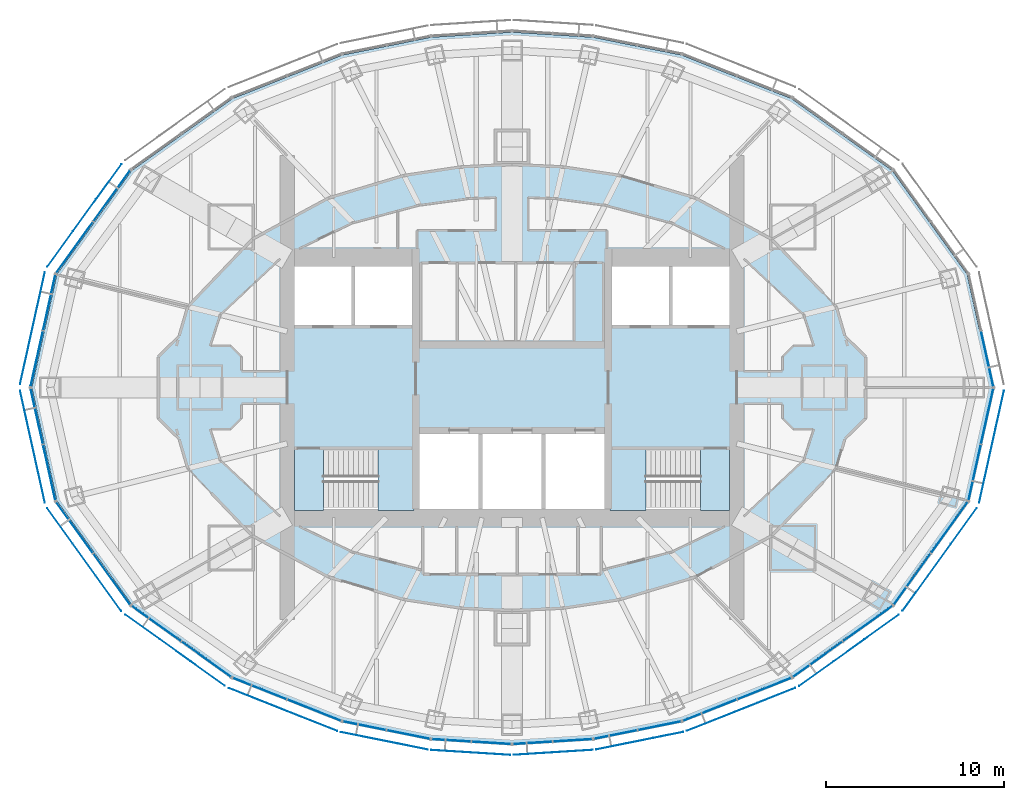
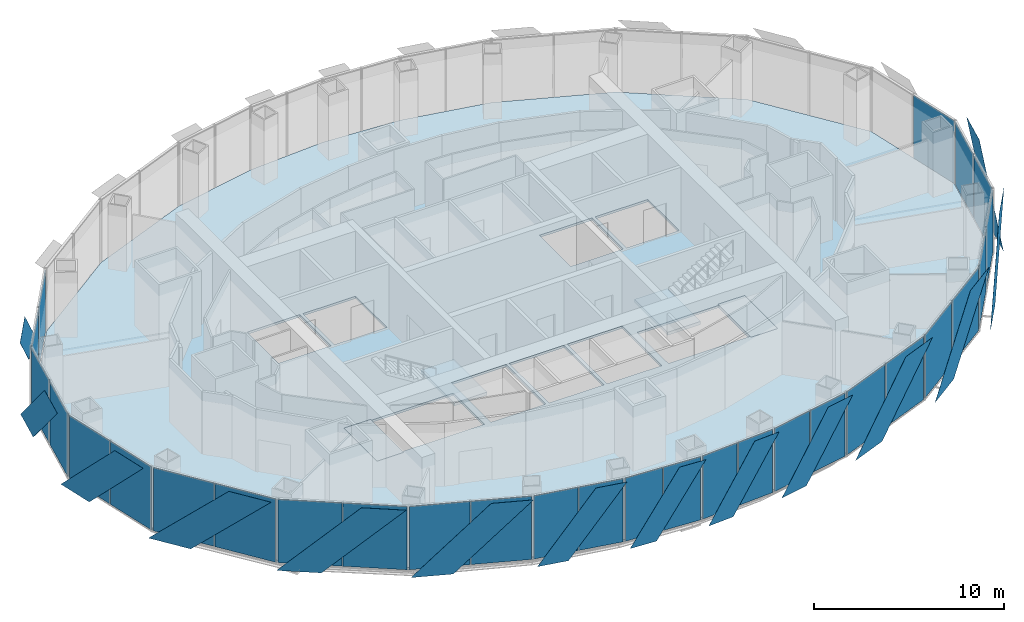
# One storey, part 10 of 17: 43 plates, 5 slabs, 17 elements without a shape of their own.
"""IFC4 building model written with IfcOpenShell, lengths in metres."""

from ifc_helpers import new_model, si_unit, direction, frame, origin, origin_2d, place, context, subcontext, project, spatial, polyline, rectangle, outline, extrude, material, layer, layer_set, type_object, element, aggregate, save


model = new_model("IFC4")

# Units and contexts
model_context = context("Model", 3, precision=1e-05, world=origin(), true_north=direction((0.0, 1.0)))
body_context = subcontext(model_context, "Body", "Model", "MODEL_VIEW")
ifc_project = project(units=[si_unit("LENGTHUNIT", "METRE"), si_unit("AREAUNIT", "SQUARE_METRE"), si_unit("VOLUMEUNIT", "CUBIC_METRE"), si_unit("PLANEANGLEUNIT", "RADIAN"), si_unit("MASSUNIT", "GRAM", prefix="KILO")], contexts=[model_context])

# Site, building, storey
site_placement = place(None, origin())
site = spatial("IfcSite", under=ifc_project, at=site_placement, CompositionType="ELEMENT")
building_placement = place(site_placement, origin())
building = spatial("IfcBuilding", under=site, at=building_placement, Name="Lantaw Convention Tower", CompositionType="ELEMENT")
storey_placement = place(building_placement, frame((0.0, 0.0, 203.199951171875)))
storey = spatial("IfcBuildingStorey", under=building, at=storey_placement, Name="L47", CompositionType="ELEMENT", Elevation=203.199951171875)

# Curtain wall, plate
ifc_material_1 = material(Name="Aluminium framed curtain wall", Category="aluminium")
curtain_wall_type = type_object("IfcCurtainWallType", Name="Office curtain wall high rise, pale aluminium", PredefinedType="USERDEFINED", material=ifc_material_1)
curtain_wall_1_placement = place(storey_placement, origin())
curtain_wall_1 = element("IfcCurtainWall", 1, at=curtain_wall_1_placement, inside=storey, type_object=curtain_wall_type, Name="Office curtain wall high rise, pale aluminium L47", ObjectType="UNITISED CURTAIN WALL", PredefinedType="USERDEFINED")
ifc_material_2 = material(Name="Clear insulating glass", Category="glass")
ifc_layer_1 = layer(ifc_material_2, 0.028076171875)
ifc_layer_set_1 = layer_set([ifc_layer_1], Name="CW-O2 panel 28")
plate_type_1 = type_object("IfcPlateType", Name="CW-O2 panel 28", PredefinedType="CURTAIN_PANEL", material=ifc_layer_set_1)
plate_1_placement = place(storey_placement, frame((26.643798828125, 1.61083984375, -0.0849609375), z_axis=(0.0, 0.0, 1.0), x_axis=(-0.215891333626, 0.976417396437, 0.0)))
plate_1 = element("IfcPlate", 2, at=plate_1_placement, type_object=plate_type_1, Name="CW-O2 panel 1.1", PredefinedType="CURTAIN_PANEL", context=body_context, shape_type="SweptSolid", body=[
    extrude(rectangle(XDim=3.169677734375, YDim=0.028076171875, at=origin_2d()), origin(), (0.0, 0.0, 1.0), 4.070068359375),
])
aggregate(curtain_wall_1, [plate_1])

# Curtain wall, plates
curtain_wall_2_placement = place(storey_placement, origin())
curtain_wall_2 = element("IfcCurtainWall", 3, at=curtain_wall_2_placement, inside=storey, type_object=curtain_wall_type, Name="Office curtain wall high rise, pale aluminium L47", ObjectType="UNITISED CURTAIN WALL", PredefinedType="USERDEFINED")
plate_2_placement = place(storey_placement, frame((-22.4404296875, 10.743896484375, -0.0849609375), z_axis=(0.0, 0.0, 1.0), x_axis=(-0.585157643865, -0.810919559405, 0.0)))
plate_2 = element("IfcPlate", 4, at=plate_2_placement, type_object=plate_type_1, Name="CW-O2 panel 1.1", PredefinedType="CURTAIN_PANEL", context=body_context, shape_type="SweptSolid", body=[
    extrude(rectangle(XDim=3.500732421875, YDim=0.028076171875, at=origin_2d()), origin(), (0.0, 0.0, 1.0), 4.070068359375),
])
plate_3_placement = place(storey_placement, frame((-24.527099609375, 7.852294921875, -0.0849609375), z_axis=(0.0, 0.0, 1.0), x_axis=(-0.585157643865, -0.810919559405, 0.0)))
plate_3 = element("IfcPlate", 5, at=plate_3_placement, type_object=plate_type_1, Name="CW-O2 panel 2.1", PredefinedType="CURTAIN_PANEL", context=body_context, shape_type="SweptSolid", body=[
    extrude(rectangle(XDim=3.500732421875, YDim=0.028076171875, at=origin_2d()), origin(), (0.0, 0.0, 1.0), 4.070068359375),
])
aggregate(curtain_wall_2, [plate_2, plate_3])

curtain_wall_3_placement = place(storey_placement, origin())
curtain_wall_3 = element("IfcCurtainWall", 6, at=curtain_wall_3_placement, inside=storey, type_object=curtain_wall_type, Name="Office curtain wall high rise, pale aluminium L47", ObjectType="UNITISED CURTAIN WALL", PredefinedType="USERDEFINED")
plate_4_placement = place(storey_placement, frame((-25.945556640625, 4.769287109375, -0.0849609375), z_axis=(0.0, 0.0, 1.0), x_axis=(-0.215891333626, -0.976417396437, 0.0)))
plate_4 = element("IfcPlate", 7, at=plate_4_placement, type_object=plate_type_1, Name="CW-O2 panel 1.1", PredefinedType="CURTAIN_PANEL", context=body_context, shape_type="SweptSolid", body=[
    extrude(rectangle(XDim=3.169677734375, YDim=0.028076171875, at=origin_2d()), origin(), (0.0, 0.0, 1.0), 4.070068359375),
])
plate_5_placement = place(storey_placement, frame((-26.643798828125, 1.61083984375, -0.0849609375), z_axis=(0.0, 0.0, 1.0), x_axis=(-0.215891333626, -0.976417396437, 0.0)))
plate_5 = element("IfcPlate", 8, at=plate_5_placement, type_object=plate_type_1, Name="CW-O2 panel 2.1", PredefinedType="CURTAIN_PANEL", context=body_context, shape_type="SweptSolid", body=[
    extrude(rectangle(XDim=3.169677734375, YDim=0.028076171875, at=origin_2d()), origin(), (0.0, 0.0, 1.0), 4.070068359375),
])
aggregate(curtain_wall_3, [plate_4, plate_5])

curtain_wall_4_placement = place(storey_placement, origin())
curtain_wall_4 = element("IfcCurtainWall", 9, at=curtain_wall_4_placement, inside=storey, type_object=curtain_wall_type, Name="Office curtain wall high rise, pale aluminium L47", ObjectType="UNITISED CURTAIN WALL", PredefinedType="USERDEFINED")
plate_6_placement = place(storey_placement, frame((-26.643798828125, -1.61083984375, -0.0849609375), z_axis=(0.0, 0.0, 1.0), x_axis=(0.215891333626, -0.976417396437, 0.0)))
plate_6 = element("IfcPlate", 10, at=plate_6_placement, type_object=plate_type_1, Name="CW-O2 panel 1.1", PredefinedType="CURTAIN_PANEL", context=body_context, shape_type="SweptSolid", body=[
    extrude(rectangle(XDim=3.169677734375, YDim=0.028076171875, at=origin_2d()), origin(), (0.0, 0.0, 1.0), 4.070068359375),
])
plate_7_placement = place(storey_placement, frame((-25.945556640625, -4.769287109375, -0.0849609375), z_axis=(0.0, 0.0, 1.0), x_axis=(0.215891333626, -0.976417396437, 0.0)))
plate_7 = element("IfcPlate", 11, at=plate_7_placement, type_object=plate_type_1, Name="CW-O2 panel 2.1", PredefinedType="CURTAIN_PANEL", context=body_context, shape_type="SweptSolid", body=[
    extrude(rectangle(XDim=3.169677734375, YDim=0.028076171875, at=origin_2d()), origin(), (0.0, 0.0, 1.0), 4.070068359375),
])
aggregate(curtain_wall_4, [plate_6, plate_7])

curtain_wall_5_placement = place(storey_placement, origin())
curtain_wall_5 = element("IfcCurtainWall", 12, at=curtain_wall_5_placement, inside=storey, type_object=curtain_wall_type, Name="Office curtain wall high rise, pale aluminium L47", ObjectType="UNITISED CURTAIN WALL", PredefinedType="USERDEFINED")
plate_8_placement = place(storey_placement, frame((-24.527099609375, -7.852294921875, -0.0849609375), z_axis=(0.0, 0.0, 1.0), x_axis=(0.585157643865, -0.810919559405, 0.0)))
plate_8 = element("IfcPlate", 13, at=plate_8_placement, type_object=plate_type_1, Name="CW-O2 panel 1.1", PredefinedType="CURTAIN_PANEL", context=body_context, shape_type="SweptSolid", body=[
    extrude(rectangle(XDim=3.500732421875, YDim=0.028076171875, at=origin_2d()), origin(), (0.0, 0.0, 1.0), 4.070068359375),
])
plate_9_placement = place(storey_placement, frame((-22.4404296875, -10.743896484375, -0.0849609375), z_axis=(0.0, 0.0, 1.0), x_axis=(0.585157643865, -0.810919559405, 0.0)))
plate_9 = element("IfcPlate", 14, at=plate_9_placement, type_object=plate_type_1, Name="CW-O2 panel 2.1", PredefinedType="CURTAIN_PANEL", context=body_context, shape_type="SweptSolid", body=[
    extrude(rectangle(XDim=3.500732421875, YDim=0.028076171875, at=origin_2d()), origin(), (0.0, 0.0, 1.0), 4.070068359375),
])
aggregate(curtain_wall_5, [plate_8, plate_9])

curtain_wall_6_placement = place(storey_placement, origin())
curtain_wall_6 = element("IfcCurtainWall", 15, at=curtain_wall_6_placement, inside=storey, type_object=curtain_wall_type, Name="Office curtain wall high rise, pale aluminium L47", ObjectType="UNITISED CURTAIN WALL", PredefinedType="USERDEFINED")
plate_10_placement = place(storey_placement, frame((-19.947509765625, -13.23828125, -0.0849609375), z_axis=(0.0, 0.0, 1.0), x_axis=(0.813672540482, -0.581323487281, 0.0)))
plate_10 = element("IfcPlate", 16, at=plate_10_placement, type_object=plate_type_1, Name="CW-O2 panel 1.1", PredefinedType="CURTAIN_PANEL", context=body_context, shape_type="SweptSolid", body=[
    extrude(rectangle(XDim=3.386474609375, YDim=0.028076171875, at=origin_2d()), origin(), (0.0, 0.0, 1.0), 4.070068359375),
])
plate_11_placement = place(storey_placement, frame((-17.13916015625, -15.24462890625, -0.0849609375), z_axis=(0.0, 0.0, 1.0), x_axis=(0.813672540482, -0.581323487281, 0.0)))
plate_11 = element("IfcPlate", 17, at=plate_11_placement, type_object=plate_type_1, Name="CW-O2 panel 2.1", PredefinedType="CURTAIN_PANEL", context=body_context, shape_type="SweptSolid", body=[
    extrude(rectangle(XDim=3.386474609375, YDim=0.028076171875, at=origin_2d()), origin(), (0.0, 0.0, 1.0), 4.070068359375),
])
aggregate(curtain_wall_6, [plate_10, plate_11])

curtain_wall_7_placement = place(storey_placement, origin())
curtain_wall_7 = element("IfcCurtainWall", 18, at=curtain_wall_7_placement, inside=storey, type_object=curtain_wall_type, Name="Office curtain wall high rise, pale aluminium L47", ObjectType="UNITISED CURTAIN WALL", PredefinedType="USERDEFINED")
plate_12_placement = place(storey_placement, frame((-14.14990234375, -16.8837890625, -0.0849609375), z_axis=(0.0, 0.0, 1.0), x_axis=(0.929761533743, -0.368162315252, 0.0)))
plate_12 = element("IfcPlate", 19, at=plate_12_placement, type_object=plate_type_1, Name="CW-O2 panel 1.1", PredefinedType="CURTAIN_PANEL", context=body_context, shape_type="SweptSolid", body=[
    extrude(rectangle(XDim=3.222900390625, YDim=0.028076171875, at=origin_2d()), origin(), (0.0, 0.0, 1.0), 4.070068359375),
])
plate_13_placement = place(storey_placement, frame((-11.0927734375, -18.094482421875, -0.0849609375), z_axis=(0.0, 0.0, 1.0), x_axis=(0.929761533743, -0.368162315252, 0.0)))
plate_13 = element("IfcPlate", 20, at=plate_13_placement, type_object=plate_type_1, Name="CW-O2 panel 2.1", PredefinedType="CURTAIN_PANEL", context=body_context, shape_type="SweptSolid", body=[
    extrude(rectangle(XDim=3.222900390625, YDim=0.028076171875, at=origin_2d()), origin(), (0.0, 0.0, 1.0), 4.070068359375),
])
aggregate(curtain_wall_7, [plate_12, plate_13])

curtain_wall_8_placement = place(storey_placement, origin())
curtain_wall_8 = element("IfcCurtainWall", 21, at=curtain_wall_8_placement, inside=storey, type_object=curtain_wall_type, Name="Office curtain wall high rise, pale aluminium L47", ObjectType="UNITISED CURTAIN WALL", PredefinedType="USERDEFINED")
plate_14_placement = place(storey_placement, frame((-8.2724609375, -18.96533203125, -0.0849609375), z_axis=(0.0, 0.0, 1.0), x_axis=(0.980366679695, -0.197183095987, 0.0)))
plate_14 = element("IfcPlate", 22, at=plate_14_placement, type_object=plate_type_1, Name="CW-O2 panel 1.1", PredefinedType="CURTAIN_PANEL", context=body_context, shape_type="SweptSolid", body=[
    extrude(rectangle(XDim=2.44384765625, YDim=0.028076171875, at=origin_2d()), origin(), (0.0, 0.0, 1.0), 4.070068359375),
])
plate_15_placement = place(storey_placement, frame((-5.81298828125, -19.4599609375, -0.0849609375), z_axis=(0.0, 0.0, 1.0), x_axis=(0.980366679695, -0.197183095987, 0.0)))
plate_15 = element("IfcPlate", 23, at=plate_15_placement, type_object=plate_type_1, Name="CW-O2 panel 2.1", PredefinedType="CURTAIN_PANEL", context=body_context, shape_type="SweptSolid", body=[
    extrude(rectangle(XDim=2.44384765625, YDim=0.028076171875, at=origin_2d()), origin(), (0.0, 0.0, 1.0), 4.070068359375),
])
aggregate(curtain_wall_8, [plate_14, plate_15])

curtain_wall_9_placement = place(storey_placement, origin())
curtain_wall_9 = element("IfcCurtainWall", 24, at=curtain_wall_9_placement, inside=storey, type_object=curtain_wall_type, Name="Office curtain wall high rise, pale aluminium L47", ObjectType="UNITISED CURTAIN WALL", PredefinedType="USERDEFINED")
plate_16_placement = place(storey_placement, frame((-3.397216796875, -19.786376953125, -0.0849609375), z_axis=(0.0, 0.0, 1.0), x_axis=(0.998028774865, -0.062757983884, 0.0)))
plate_16 = element("IfcPlate", 25, at=plate_16_placement, type_object=plate_type_1, Name="CW-O2 panel 1.1", PredefinedType="CURTAIN_PANEL", context=body_context, shape_type="SweptSolid", body=[
    extrude(rectangle(XDim=2.1826171875, YDim=0.028076171875, at=origin_2d()), origin(), (0.0, 0.0, 1.0), 4.070068359375),
])
plate_17_placement = place(storey_placement, frame((-1.154052734375, -19.927490234375, -0.0849609375), z_axis=(0.0, 0.0, 1.0), x_axis=(0.998028774865, -0.062757983884, 0.0)))
plate_17 = element("IfcPlate", 26, at=plate_17_placement, type_object=plate_type_1, Name="CW-O2 panel 2.1", PredefinedType="CURTAIN_PANEL", context=body_context, shape_type="SweptSolid", body=[
    extrude(rectangle(XDim=2.1826171875, YDim=0.028076171875, at=origin_2d()), origin(), (0.0, 0.0, 1.0), 4.070068359375),
])
aggregate(curtain_wall_9, [plate_16, plate_17])

curtain_wall_10_placement = place(storey_placement, origin())
curtain_wall_10 = element("IfcCurtainWall", 27, at=curtain_wall_10_placement, inside=storey, type_object=curtain_wall_type, Name="Office curtain wall high rise, pale aluminium L47", ObjectType="UNITISED CURTAIN WALL", PredefinedType="USERDEFINED")
plate_18_placement = place(storey_placement, frame((1.154052734375, -19.927490234375, -0.0849609375), z_axis=(0.0, 0.0, 1.0), x_axis=(0.998028774865, 0.062757983884, 0.0)))
plate_18 = element("IfcPlate", 28, at=plate_18_placement, type_object=plate_type_1, Name="CW-O2 panel 1.1", PredefinedType="CURTAIN_PANEL", context=body_context, shape_type="SweptSolid", body=[
    extrude(rectangle(XDim=2.1826171875, YDim=0.028076171875, at=origin_2d()), origin(), (0.0, 0.0, 1.0), 4.070068359375),
])
plate_19_placement = place(storey_placement, frame((3.397216796875, -19.786376953125, -0.0849609375), z_axis=(0.0, 0.0, 1.0), x_axis=(0.998028774865, 0.062757983884, 0.0)))
plate_19 = element("IfcPlate", 29, at=plate_19_placement, type_object=plate_type_1, Name="CW-O2 panel 2.1", PredefinedType="CURTAIN_PANEL", context=body_context, shape_type="SweptSolid", body=[
    extrude(rectangle(XDim=2.1826171875, YDim=0.028076171875, at=origin_2d()), origin(), (0.0, 0.0, 1.0), 4.070068359375),
])
aggregate(curtain_wall_10, [plate_18, plate_19])

curtain_wall_11_placement = place(storey_placement, origin())
curtain_wall_11 = element("IfcCurtainWall", 30, at=curtain_wall_11_placement, inside=storey, type_object=curtain_wall_type, Name="Office curtain wall high rise, pale aluminium L47", ObjectType="UNITISED CURTAIN WALL", PredefinedType="USERDEFINED")
plate_20_placement = place(storey_placement, frame((5.81298828125, -19.4599609375, -0.0849609375), z_axis=(0.0, 0.0, 1.0), x_axis=(0.980366679695, 0.197183095987, 0.0)))
plate_20 = element("IfcPlate", 31, at=plate_20_placement, type_object=plate_type_1, Name="CW-O2 panel 1.1", PredefinedType="CURTAIN_PANEL", context=body_context, shape_type="SweptSolid", body=[
    extrude(rectangle(XDim=2.44384765625, YDim=0.028076171875, at=origin_2d()), origin(), (0.0, 0.0, 1.0), 4.070068359375),
])
plate_21_placement = place(storey_placement, frame((8.2724609375, -18.96533203125, -0.0849609375), z_axis=(0.0, 0.0, 1.0), x_axis=(0.980366679695, 0.197183095987, 0.0)))
plate_21 = element("IfcPlate", 32, at=plate_21_placement, type_object=plate_type_1, Name="CW-O2 panel 2.1", PredefinedType="CURTAIN_PANEL", context=body_context, shape_type="SweptSolid", body=[
    extrude(rectangle(XDim=2.44384765625, YDim=0.028076171875, at=origin_2d()), origin(), (0.0, 0.0, 1.0), 4.070068359375),
])
aggregate(curtain_wall_11, [plate_20, plate_21])

curtain_wall_12_placement = place(storey_placement, origin())
curtain_wall_12 = element("IfcCurtainWall", 33, at=curtain_wall_12_placement, inside=storey, type_object=curtain_wall_type, Name="Office curtain wall high rise, pale aluminium L47", ObjectType="UNITISED CURTAIN WALL", PredefinedType="USERDEFINED")
plate_22_placement = place(storey_placement, frame((11.0927734375, -18.094482421875, -0.0849609375), z_axis=(0.0, 0.0, 1.0), x_axis=(0.929761533743, 0.368162315252, 0.0)))
plate_22 = element("IfcPlate", 34, at=plate_22_placement, type_object=plate_type_1, Name="CW-O2 panel 1.1", PredefinedType="CURTAIN_PANEL", context=body_context, shape_type="SweptSolid", body=[
    extrude(rectangle(XDim=3.222900390625, YDim=0.028076171875, at=origin_2d()), origin(), (0.0, 0.0, 1.0), 4.070068359375),
])
plate_23_placement = place(storey_placement, frame((14.14990234375, -16.8837890625, -0.0849609375), z_axis=(0.0, 0.0, 1.0), x_axis=(0.929761533743, 0.368162315252, 0.0)))
plate_23 = element("IfcPlate", 35, at=plate_23_placement, type_object=plate_type_1, Name="CW-O2 panel 2.1", PredefinedType="CURTAIN_PANEL", context=body_context, shape_type="SweptSolid", body=[
    extrude(rectangle(XDim=3.222900390625, YDim=0.028076171875, at=origin_2d()), origin(), (0.0, 0.0, 1.0), 4.070068359375),
])
aggregate(curtain_wall_12, [plate_22, plate_23])

curtain_wall_13_placement = place(storey_placement, origin())
curtain_wall_13 = element("IfcCurtainWall", 36, at=curtain_wall_13_placement, inside=storey, type_object=curtain_wall_type, Name="Office curtain wall high rise, pale aluminium L47", ObjectType="UNITISED CURTAIN WALL", PredefinedType="USERDEFINED")
plate_24_placement = place(storey_placement, frame((17.13916015625, -15.24462890625, -0.0849609375), z_axis=(0.0, 0.0, 1.0), x_axis=(0.813672540482, 0.581323487281, 0.0)))
plate_24 = element("IfcPlate", 37, at=plate_24_placement, type_object=plate_type_1, Name="CW-O2 panel 1.1", PredefinedType="CURTAIN_PANEL", context=body_context, shape_type="SweptSolid", body=[
    extrude(rectangle(XDim=3.386474609375, YDim=0.028076171875, at=origin_2d()), origin(), (0.0, 0.0, 1.0), 4.070068359375),
])
plate_25_placement = place(storey_placement, frame((19.947509765625, -13.23828125, -0.0849609375), z_axis=(0.0, 0.0, 1.0), x_axis=(0.813672540482, 0.581323487281, 0.0)))
plate_25 = element("IfcPlate", 38, at=plate_25_placement, type_object=plate_type_1, Name="CW-O2 panel 2.1", PredefinedType="CURTAIN_PANEL", context=body_context, shape_type="SweptSolid", body=[
    extrude(rectangle(XDim=3.386474609375, YDim=0.028076171875, at=origin_2d()), origin(), (0.0, 0.0, 1.0), 4.070068359375),
])
aggregate(curtain_wall_13, [plate_24, plate_25])

curtain_wall_14_placement = place(storey_placement, origin())
curtain_wall_14 = element("IfcCurtainWall", 39, at=curtain_wall_14_placement, inside=storey, type_object=curtain_wall_type, Name="Office curtain wall high rise, pale aluminium L47", ObjectType="UNITISED CURTAIN WALL", PredefinedType="USERDEFINED")
plate_26_placement = place(storey_placement, frame((22.4404296875, -10.743896484375, -0.0849609375), z_axis=(0.0, 0.0, 1.0), x_axis=(0.585157643865, 0.810919559405, 0.0)))
plate_26 = element("IfcPlate", 40, at=plate_26_placement, type_object=plate_type_1, Name="CW-O2 panel 1.1", PredefinedType="CURTAIN_PANEL", context=body_context, shape_type="SweptSolid", body=[
    extrude(rectangle(XDim=3.500732421875, YDim=0.028076171875, at=origin_2d()), origin(), (0.0, 0.0, 1.0), 4.070068359375),
])
plate_27_placement = place(storey_placement, frame((24.527099609375, -7.852294921875, -0.0849609375), z_axis=(0.0, 0.0, 1.0), x_axis=(0.585157643865, 0.810919559405, 0.0)))
plate_27 = element("IfcPlate", 41, at=plate_27_placement, type_object=plate_type_1, Name="CW-O2 panel 2.1", PredefinedType="CURTAIN_PANEL", context=body_context, shape_type="SweptSolid", body=[
    extrude(rectangle(XDim=3.500732421875, YDim=0.028076171875, at=origin_2d()), origin(), (0.0, 0.0, 1.0), 4.070068359375),
])
aggregate(curtain_wall_14, [plate_26, plate_27])

curtain_wall_15_placement = place(storey_placement, origin())
curtain_wall_15 = element("IfcCurtainWall", 42, at=curtain_wall_15_placement, inside=storey, type_object=curtain_wall_type, Name="Office curtain wall high rise, pale aluminium L47", ObjectType="UNITISED CURTAIN WALL", PredefinedType="USERDEFINED")
plate_28_placement = place(storey_placement, frame((25.945556640625, -4.769287109375, -0.0849609375), z_axis=(0.0, 0.0, 1.0), x_axis=(0.215891333626, 0.976417396437, 0.0)))
plate_28 = element("IfcPlate", 43, at=plate_28_placement, type_object=plate_type_1, Name="CW-O2 panel 1.1", PredefinedType="CURTAIN_PANEL", context=body_context, shape_type="SweptSolid", body=[
    extrude(rectangle(XDim=3.169677734375, YDim=0.028076171875, at=origin_2d()), origin(), (0.0, 0.0, 1.0), 4.070068359375),
])
plate_29_placement = place(storey_placement, frame((26.643798828125, -1.61083984375, -0.0849609375), z_axis=(0.0, 0.0, 1.0), x_axis=(0.215891333626, 0.976417396437, 0.0)))
plate_29 = element("IfcPlate", 44, at=plate_29_placement, type_object=plate_type_1, Name="CW-O2 panel 2.1", PredefinedType="CURTAIN_PANEL", context=body_context, shape_type="SweptSolid", body=[
    extrude(rectangle(XDim=3.169677734375, YDim=0.028076171875, at=origin_2d()), origin(), (0.0, 0.0, 1.0), 4.070068359375),
])
aggregate(curtain_wall_15, [plate_28, plate_29])

# Slab
ifc_material_3 = material(Name="Concrete C35/45", Category="concrete")
ifc_layer_2 = layer(ifc_material_3, 0.14990234375)
ifc_layer_set_2 = layer_set([ifc_layer_2], Name="Floor slab 150")
slab_type_1 = type_object("IfcSlabType", Name="Floor slab 150", PredefinedType="FLOOR", material=ifc_layer_set_2)
slab_1_placement = place(storey_placement, frame((0.0, 0.0, -0.14990234375)))
element("IfcSlab", 45, at=slab_1_placement, inside=storey, type_object=slab_type_1, Name="L47 floor slab", PredefinedType="FLOOR", context=body_context, shape_type="SweptSolid", body=[
    extrude(outline(polyline([(25.51953125, -6.348876953125), (26.923095703125, 0.0), (25.51953125, 6.348876953125), (21.324462890625, 12.162109375), (15.67236328125, 16.2001953125), (9.5126953125, 18.639404296875), (4.54150390625, 19.63916015625), (0.0, 19.9248046875), (-4.54150390625, 19.63916015625), (-9.5126953125, 18.639404296875), (-15.67236328125, 16.2001953125), (-21.324462890625, 12.162109375), (-25.51953125, 6.348876953125), (-26.923095703125, 0.0), (-25.51953125, -6.348876953125), (-21.324462890625, -12.162109375), (-15.67236328125, -16.2001953125), (-9.5126953125, -18.639404296875), (-4.54150390625, -19.63916015625), (0.0, -19.9248046875), (4.54150390625, -19.63916015625), (9.5126953125, -18.639404296875), (15.67236328125, -16.2001953125), (21.324462890625, -12.162109375), (25.51953125, -6.348876953125)]), holes=[polyline([(-5.60009765625, -3.5), (-12.199951171875, -3.5), (-12.199951171875, -6.800048828125), (-5.60009765625, -6.800048828125), (-5.60009765625, -3.5)]), polyline([(12.199951171875, -3.5), (5.60009765625, -3.5), (5.60009765625, -6.800048828125), (12.199951171875, -6.800048828125), (12.199951171875, -3.5)]), polyline([(-1.86669921875, -2.60009765625), (-5.199951171875, -2.60009765625), (-5.199951171875, -6.800048828125), (-1.86669921875, -6.800048828125), (-1.86669921875, -2.60009765625)]), polyline([(1.666748046875, -2.60009765625), (-1.666748046875, -2.60009765625), (-1.666748046875, -6.800048828125), (1.666748046875, -6.800048828125), (1.666748046875, -2.60009765625)]), polyline([(5.199951171875, -2.60009765625), (1.86669921875, -2.60009765625), (1.86669921875, -6.800048828125), (5.199951171875, -6.800048828125), (5.199951171875, -2.60009765625)]), polyline([(-9.0, 6.800048828125), (-12.199951171875, 6.800048828125), (-12.199951171875, 3.5), (-9.0, 3.5), (-9.0, 6.800048828125)]), polyline([(-5.60009765625, 6.800048828125), (-8.800048828125, 6.800048828125), (-8.800048828125, 3.5), (-5.60009765625, 3.5), (-5.60009765625, 6.800048828125)]), polyline([(8.800048828125, 3.5), (8.800048828125, 6.800048828125), (5.60009765625, 6.800048828125), (5.60009765625, 3.5), (8.800048828125, 3.5)]), polyline([(12.199951171875, 3.5), (12.199951171875, 6.800048828125), (9.0, 6.800048828125), (9.0, 3.5), (12.199951171875, 3.5)])]), origin(), (0.0, 0.0, 1.0), 0.14990234375),
])

# Plates
ifc_material_4 = material(Name="Perforated aluminium sheet, pale silver finish", Category="aluminium")
ifc_layer_3 = layer(ifc_material_4, 0.006103515625)
ifc_layer_set_3 = layer_set([ifc_layer_3], Name="Perforated aluminium solar SCREEN panel")
plate_type_2 = type_object("IfcPlateType", Name="Perforated aluminium solar SCREEN panel", PredefinedType="SHEET", material=ifc_layer_set_3)
plate_30_placement = place(storey_placement, frame((-21.898681640625, 12.530029296875, -0.175048828125), z_axis=(-0.810892289695, 0.585195432394, 2.0458414e-05), x_axis=(-0.585195432516, -0.810892289865, 0.0)))
element("IfcPlate", 46, at=plate_30_placement, inside=storey, type_object=plate_type_2, Name="Solar SCREEN panel", PredefinedType="SHEET", context=body_context, shape_type="SweptSolid", body=[
    extrude(outline(polyline([(0.0, 0.0), (2.446848840683286, -6.776263578034403e-21), (7.09661046667572, 4.340087891533265), (4.649761625992435, 4.340087891533265), (0.0, 0.0)])), origin(), (0.0, 0.0, -1.0), 0.006103515625),
])
plate_31_placement = place(storey_placement, frame((-26.19189453125, 6.462158203125, -0.175048828125), z_axis=(0.976429511424, -0.215836529031, 4.4219438e-05), x_axis=(-0.215836529242, -0.976429512379, 0.0)))
element("IfcPlate", 47, at=plate_31_placement, inside=storey, type_object=plate_type_2, Name="Solar SCREEN panel", PredefinedType="SHEET", context=body_context, shape_type="SweptSolid", body=[
    extrude(outline(polyline([(0.0, 0.0), (2.2215525295212517, 3.3881317890172014e-21), (6.4341686174090675, -4.340087894868215), (4.212616087887817, -4.340087894868215), (0.0, 0.0)])), origin(), (0.0, 0.0, -1.0), 0.006103515625),
])
plate_32_placement = place(storey_placement, frame((-27.580810546875, -0.1796875, -0.175048828125), z_axis=(-0.976429511424, -0.215836529031, 4.4219438e-05), x_axis=(0.215836529242, -0.976429512379, 0.0)))
element("IfcPlate", 48, at=plate_32_placement, inside=storey, type_object=plate_type_2, Name="Solar SCREEN panel", PredefinedType="SHEET", context=body_context, shape_type="SweptSolid", body=[
    extrude(outline(polyline([(0.0, 0.0), (2.2215525295212517, -3.3881317890172014e-21), (6.4341686174090675, 4.340087894868215), (4.212616087887817, 4.340087894868215), (0.0, 0.0)])), origin(), (0.0, 0.0, -1.0), 0.006103515625),
])
plate_33_placement = place(storey_placement, frame((-26.051513671875, -6.775390625, -0.175048828125), z_axis=(0.810892289695, 0.585195432394, 2.0458414e-05), x_axis=(0.585195432516, -0.810892289865, 0.0)))
element("IfcPlate", 49, at=plate_33_placement, inside=storey, type_object=plate_type_2, Name="Solar SCREEN panel", PredefinedType="SHEET", context=body_context, shape_type="SweptSolid", body=[
    extrude(outline(polyline([(0.0, 0.0), (2.446848840683286, 6.776263578034403e-21), (7.09661046667572, -4.340087891533265), (4.649761625992435, -4.340087891533265), (0.0, 0.0)])), origin(), (0.0, 0.0, -1.0), 0.006103515625),
])
plate_34_placement = place(storey_placement, frame((-21.689697265625, -12.73828125, -0.175048828125), z_axis=(-0.581330799771, -0.813667316006, 1.0072414e-05), x_axis=(0.813667316047, -0.5813307998, 3.02e-10)))
element("IfcPlate", 50, at=plate_34_placement, inside=storey, type_object=plate_type_2, Name="Solar SCREEN panel", PredefinedType="SHEET", context=body_context, shape_type="SweptSolid", body=[
    extrude(outline(polyline([(0.0, 0.0), (2.3691416428668504, 0.0), (6.867806096558412, 4.34008788877314), (4.498863102938644, 4.340087890202622), (0.0, 0.0)])), origin(), (0.0, 0.0, -1.0), 0.006103515625),
])
plate_35_placement = place(storey_placement, frame((-15.88525390625, -16.8486328125, -0.175048828125), z_axis=(0.368116612072, 0.929779629081, 3.5533269e-05), x_axis=(0.929779629668, -0.368116612304, -1.786e-09)))
element("IfcPlate", 51, at=plate_35_placement, inside=storey, type_object=plate_type_2, Name="Solar SCREEN panel", PredefinedType="SHEET", context=body_context, shape_type="SweptSolid", body=[
    extrude(outline(polyline([(0.0, 0.0), (2.2578720663572183, -3.3881317890172014e-21), (6.540904465438181, -4.340087905048178), (4.282942526861161, -4.340087896982072), (0.0, 0.0)])), origin(), (0.0, 0.0, -1.0), 0.006103515625),
])
plate_36_placement = place(storey_placement, frame((-9.6044921875, -19.315673828125, -0.175048828125), z_axis=(0.197162069853, 0.980370908428, 1.0904083e-05), x_axis=(0.980370908486, -0.197162069865, -7.55e-10)))
element("IfcPlate", 52, at=plate_36_placement, inside=storey, type_object=plate_type_2, Name="Solar SCREEN panel", PredefinedType="SHEET", context=body_context, shape_type="SweptSolid", body=[
    extrude(outline(polyline([(0.0, 0.0), (1.7279870169553606, 8.470329472543003e-22), (4.982578440602753, -4.340087894645749), (3.2545432883764285, -4.340087892035838), (0.0, 0.0)])), origin(), (0.0, 0.0, -1.0), 0.006103515625),
])
plate_37_placement = place(storey_placement, frame((-4.539306640625, -20.32177734375, -0.175048828125), z_axis=(0.062672387577, 0.998034151922, 5.858668e-05), x_axis=(0.998034153635, -0.062672387685, 0.0)))
element("IfcPlate", 53, at=plate_37_placement, inside=storey, type_object=plate_type_2, Name="Solar SCREEN panel", PredefinedType="SHEET", context=body_context, shape_type="SweptSolid", body=[
    extrude(outline(polyline([(0.0, 0.0), (1.5504111513762302, 8.470329472543003e-22), (4.460200019412434, -4.340087898073457), (2.9097888680362036, -4.340087898073457), (0.0, 0.0)])), origin(), (0.0, 0.0, -1.0), 0.006103515625),
])
plate_38_placement = place(storey_placement, frame((0.087890625, -20.6015625, -0.175048828125), z_axis=(0.062672387577, -0.998034151922, 5.858668e-05), x_axis=(0.998034153635, 0.062672387685, 0.0)))
element("IfcPlate", 54, at=plate_38_placement, inside=storey, type_object=plate_type_2, Name="Solar SCREEN panel", PredefinedType="SHEET", context=body_context, shape_type="SweptSolid", body=[
    extrude(outline(polyline([(0.0, 0.0), (1.5504111513762302, -8.470329472543003e-22), (4.460200019412434, 4.340087898073457), (2.9097888680362036, 4.340087898073457), (0.0, 0.0)])), origin(), (0.0, 0.0, -1.0), 0.006103515625),
])
plate_39_placement = place(storey_placement, frame((4.7197265625, -20.298095703125, -0.175048828125), z_axis=(0.197162069853, -0.980370908428, 1.0904083e-05), x_axis=(0.980370908486, 0.197162069865, 7.55e-10)))
element("IfcPlate", 55, at=plate_39_placement, inside=storey, type_object=plate_type_2, Name="Solar SCREEN panel", PredefinedType="SHEET", context=body_context, shape_type="SweptSolid", body=[
    extrude(outline(polyline([(0.0, 0.0), (1.7280351522263238, 4.235164736271502e-22), (4.982578447157737, 4.34008788712039), (3.2545914302023755, 4.340087889730228), (0.0, 0.0)])), origin(), (0.0, 0.0, -1.0), 0.006103515625),
])
plate_40_placement = place(storey_placement, frame((9.8037109375, -19.256591796875, -0.175048828125), z_axis=(0.368116612072, -0.929779629081, 3.5533269e-05), x_axis=(0.929779629668, 0.368116612304, 1.786e-09)))
element("IfcPlate", 56, at=plate_40_placement, inside=storey, type_object=plate_type_2, Name="Solar SCREEN panel", PredefinedType="SHEET", context=body_context, shape_type="SweptSolid", body=[
    extrude(outline(polyline([(0.0, 0.0), (2.257961938577019, 0.0), (6.540904480942253, 4.34008788168214), (4.283032414585035, 4.340087889747925), (0.0, 0.0)])), origin(), (0.0, 0.0, -1.0), 0.006103515625),
])
plate_41_placement = place(storey_placement, frame((16.1015625, -16.730712890625, -0.175048828125), z_axis=(-0.581330799771, 0.813667316006, 1.0072414e-05), x_axis=(0.813667316047, 0.5813307998, -3.02e-10)))
element("IfcPlate", 57, at=plate_41_placement, inside=storey, type_object=plate_type_2, Name="Solar SCREEN panel", PredefinedType="SHEET", context=body_context, shape_type="SweptSolid", body=[
    extrude(outline(polyline([(0.0, 0.0), (2.3689429936197683, -1.6940658945086007e-21), (6.867806093939489, -4.340087892917353), (4.498664451072639, -4.340087891487751), (0.0, 0.0)])), origin(), (0.0, 0.0, -1.0), 0.006103515625),
])
plate_42_placement = place(storey_placement, frame((21.898681640625, -12.530029296875, -0.175048828125), z_axis=(0.810892289695, -0.585195432394, 2.0458414e-05), x_axis=(0.585195432516, 0.810892289865, 0.0)))
element("IfcPlate", 58, at=plate_42_placement, inside=storey, type_object=plate_type_2, Name="Solar SCREEN panel", PredefinedType="SHEET", context=body_context, shape_type="SweptSolid", body=[
    extrude(outline(polyline([(0.0, 0.0), (2.446848840683286, -6.776263578034403e-21), (7.09661046667572, 4.340087891533265), (4.649761625992435, 4.340087891533265), (0.0, 0.0)])), origin(), (0.0, 0.0, -1.0), 0.006103515625),
])
plate_43_placement = place(storey_placement, frame((26.19189453125, -6.462158203125, -0.175048828125), z_axis=(-0.976429511424, 0.215836529031, 4.4219438e-05), x_axis=(0.215836529242, 0.976429512379, 0.0)))
element("IfcPlate", 59, at=plate_43_placement, inside=storey, type_object=plate_type_2, Name="Solar SCREEN panel", PredefinedType="SHEET", context=body_context, shape_type="SweptSolid", body=[
    extrude(outline(polyline([(0.0, 0.0), (2.2215525295212517, 3.3881317890172014e-21), (6.4341686174090675, -4.340087894868215), (4.212616087887817, -4.340087894868215), (0.0, 0.0)])), origin(), (0.0, 0.0, -1.0), 0.006103515625),
])

# Stair, slabs
stair_type = type_object("IfcStairType", Name="Exit stair 1500 riser 175 in 2 flights", PredefinedType="HALF_TURN_STAIR", material=ifc_material_3)
stair_1_placement = place(storey_placement, origin())
stair_1 = element("IfcStair", 60, at=stair_1_placement, inside=storey, type_object=stair_type, Name="Exit stair S1 L47", PredefinedType="HALF_TURN_STAIR")
ifc_layer_4 = layer(ifc_material_3, 0.199951171875)
ifc_layer_set_4 = layer_set([ifc_layer_4], Name="Stair landing 200")
slab_type_2 = type_object("IfcSlabType", Name="Stair landing 200", PredefinedType="LANDING", material=ifc_layer_set_4)
slab_2_placement = place(storey_placement, frame((0.0, 0.0, -0.199951171875)))
slab_2 = element("IfcSlab", 61, at=slab_2_placement, type_object=slab_type_2, Name="S1 landing 1", PredefinedType="LANDING", context=body_context, shape_type="SweptSolid", body=[
    extrude(outline(polyline([(-12.199951171875, -6.89990234375), (-10.580078125, -6.89990234375), (-10.580078125, -3.39990234375), (-12.199951171875, -3.39990234375), (-12.199951171875, -6.89990234375)])), origin(), (0.0, 0.0, 1.0), 0.199951171875),
])
slab_3_placement = place(storey_placement, frame((0.0, 0.0, 1.900146484375)))
slab_3 = element("IfcSlab", 62, at=slab_3_placement, type_object=slab_type_2, Name="S1 landing 2", PredefinedType="LANDING", context=body_context, shape_type="SweptSolid", body=[
    extrude(outline(polyline([(-7.5, -6.89990234375), (-5.5, -6.89990234375), (-5.5, -3.39990234375), (-7.5, -3.39990234375), (-7.5, -6.89990234375)])), origin(), (0.0, 0.0, 1.0), 0.199951171875),
])
aggregate(stair_1, [slab_2, slab_3])

stair_2_placement = place(storey_placement, origin())
stair_2 = element("IfcStair", 63, at=stair_2_placement, inside=storey, type_object=stair_type, Name="Exit stair S2 L47", PredefinedType="HALF_TURN_STAIR")
slab_4_placement = place(storey_placement, frame((0.0, 0.0, -0.199951171875)))
slab_4 = element("IfcSlab", 64, at=slab_4_placement, type_object=slab_type_2, Name="S2 landing 1", PredefinedType="LANDING", context=body_context, shape_type="SweptSolid", body=[
    extrude(outline(polyline([(10.580078125, -6.89990234375), (12.199951171875, -6.89990234375), (12.199951171875, -3.39990234375), (10.580078125, -3.39990234375), (10.580078125, -6.89990234375)])), origin(), (0.0, 0.0, 1.0), 0.199951171875),
])
slab_5_placement = place(storey_placement, frame((0.0, 0.0, 1.900146484375)))
slab_5 = element("IfcSlab", 65, at=slab_5_placement, type_object=slab_type_2, Name="S2 landing 2", PredefinedType="LANDING", context=body_context, shape_type="SweptSolid", body=[
    extrude(outline(polyline([(5.5, -6.89990234375), (7.5, -6.89990234375), (7.5, -3.39990234375), (5.5, -3.39990234375), (5.5, -6.89990234375)])), origin(), (0.0, 0.0, 1.0), 0.199951171875),
])
aggregate(stair_2, [slab_4, slab_5])

save(model, "model.ifc")
